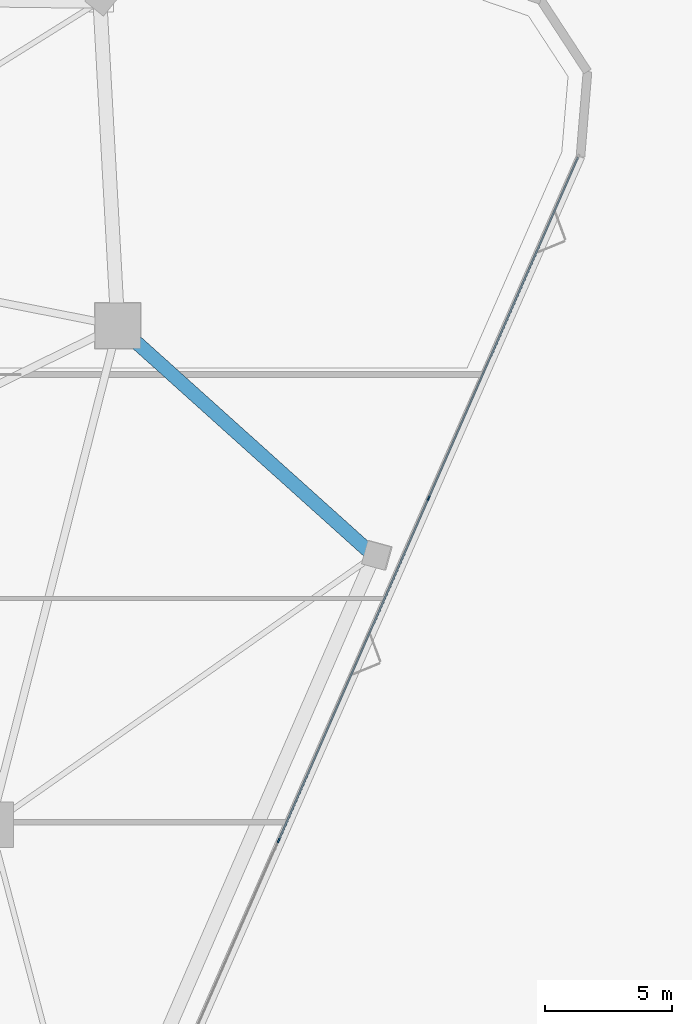
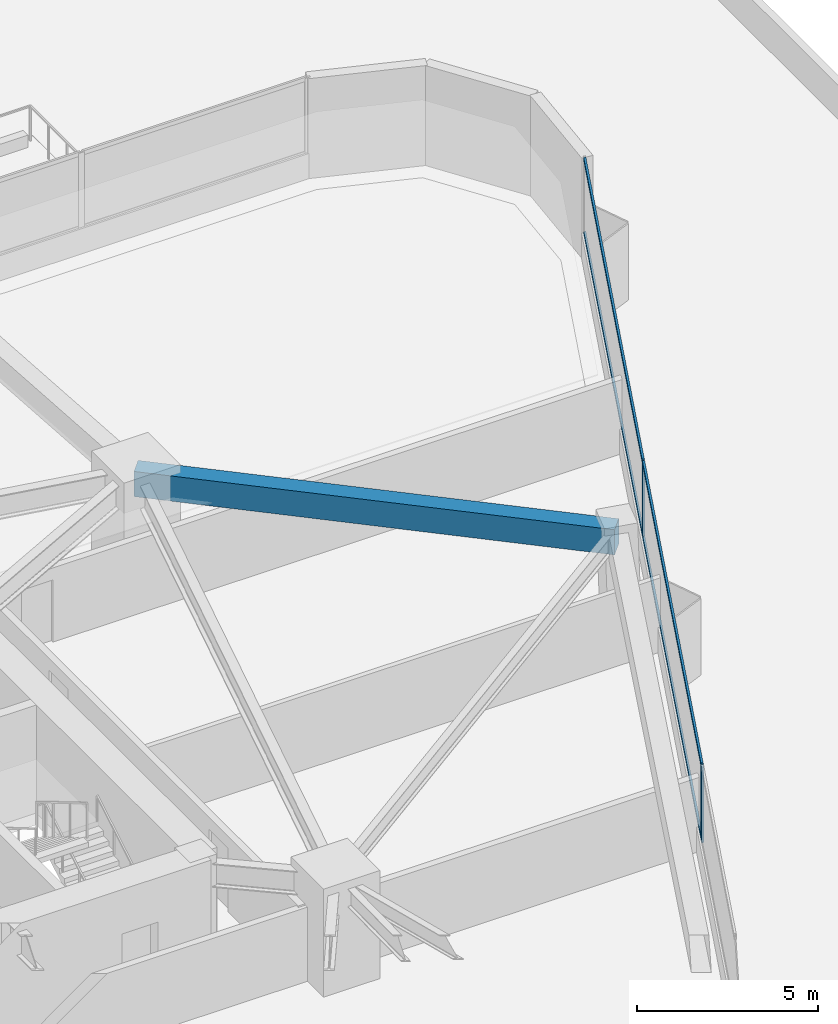
# One storey, part 8 of 21: 6 members, 1 beam, 1 element without a shape of its own.
"""IFC4 building model written with IfcOpenShell, lengths in metres."""

from ifc_helpers import new_model, si_unit, direction, frame, origin, origin_2d, place, context, subcontext, project, spatial, rectangle, extrude, material, layer, layer_set, material_profile, profile_set, type_object, element, aggregate, save


model = new_model("IFC4")

# Units and contexts
model_context = context("Model", 3, precision=1e-05, world=origin(), true_north=direction((0.0, 1.0)))
body_context = subcontext(model_context, "Body", "Model", "MODEL_VIEW")
ifc_project = project(units=[si_unit("LENGTHUNIT", "METRE"), si_unit("AREAUNIT", "SQUARE_METRE"), si_unit("VOLUMEUNIT", "CUBIC_METRE"), si_unit("PLANEANGLEUNIT", "RADIAN"), si_unit("MASSUNIT", "GRAM", prefix="KILO")], contexts=[model_context])

# Site, building, storey
site_placement = place(None, origin())
site = spatial("IfcSite", under=ifc_project, at=site_placement, CompositionType="ELEMENT")
building_placement = place(site_placement, origin())
building = spatial("IfcBuilding", under=site, at=building_placement, Name="Talyreon Biosciences Tower", CompositionType="ELEMENT")
storey_placement = place(building_placement, frame((0.0, 0.0, 22.800048828125)))
storey = spatial("IfcBuildingStorey", under=building, at=storey_placement, Name="L05", CompositionType="ELEMENT", Elevation=22.800048828125)

# Curtain wall, members
ifc_material_1 = material(Name="Thermally broken aluminium and low-E glazing", Category="aluminium")
ifc_layer = layer(ifc_material_1, 0.195068359375)
ifc_layer_set = layer_set([ifc_layer], Name="Thermally broken aluminium and low-E glazing")
curtain_wall_type = type_object("IfcCurtainWallType", Name="CurtainWall_Zone1WetLab", PredefinedType="NOTDEFINED", material=ifc_layer_set)
curtain_wall_placement = place(storey_placement, origin())
curtain_wall = element("IfcCurtainWall", 1, at=curtain_wall_placement, inside=storey, type_object=curtain_wall_type, Name="L05 Unitised Curtain Wall FCW-L05-08", PredefinedType="NOTDEFINED")
ifc_material_2 = material(Name="Anodised thermally broken aluminium", Category="aluminium")
ifc_material_profile_1 = material_profile(ifc_material_2, rectangle(XDim=0.06494140625, YDim=0.179931640625, at=origin_2d()), Name="ALUM MULLION 65x180")
ifc_profile_set_1 = profile_set([ifc_material_profile_1], Name="Anodised thermally broken aluminium")
member_type_1 = type_object("IfcMemberType", Name="CWMullion_65x180", PredefinedType="MULLION", material=ifc_profile_set_1)
member_1_placement = place(storey_placement, frame((94.378662109375, 71.783935546875, 0.81005859375), z_axis=(0.0, 0.0, 1.0), x_axis=(0.915926900592, -0.401345129249, 0.0)))
member_1 = element("IfcMember", 2, at=member_1_placement, type_object=member_type_1, Name="CW2 mullion 2", PredefinedType="MULLION", context=body_context, shape_type="SweptSolid", body=[
    extrude(rectangle(XDim=0.06494140625, YDim=0.179931640625, at=origin_2d()), origin(), (0.0, 0.0, 1.0), 2.56494140625),
])
member_2_placement = place(storey_placement, frame((88.45654296875, 58.268310546875, 0.81005859375), z_axis=(0.0, 0.0, 1.0), x_axis=(0.915926900592, -0.401345129249, 0.0)))
member_2 = element("IfcMember", 3, at=member_2_placement, type_object=member_type_1, Name="CW2 mullion 3", PredefinedType="MULLION", context=body_context, shape_type="SweptSolid", body=[
    extrude(rectangle(XDim=0.06494140625, YDim=0.179931640625, at=origin_2d()), origin(), (0.0, 0.0, 1.0), 2.56494140625),
])
ifc_material_profile_2 = material_profile(ifc_material_2, rectangle(XDim=0.06494140625, YDim=0.139892578125, at=origin_2d()), Name="ALUM TRANSOM 65x140")
ifc_profile_set_2 = profile_set([ifc_material_profile_2], Name="Anodised thermally broken aluminium")
member_type_2 = type_object("IfcMemberType", Name="CWTransom_65x140", PredefinedType="USERDEFINED", material=ifc_profile_set_2)
member_3_placement = place(storey_placement, frame((100.27490234375, 85.23974609375, 0.842529296875), z_axis=(-0.401337753299, -0.915930132585, 0.0), x_axis=(0.915930132585, -0.401337753299, 0.0)))
member_3 = element("IfcMember", 4, at=member_3_placement, type_object=member_type_2, Name="CW2 transom 1.1", ObjectType="TRANSOM", PredefinedType="USERDEFINED", context=body_context, shape_type="SweptSolid", body=[
    extrude(rectangle(XDim=0.06494140625, YDim=0.139892578125, at=origin_2d()), origin(), (0.0, 0.0, 1.0), 14.65869140625),
])
member_4_placement = place(storey_placement, frame((100.27490234375, 85.23974609375, 3.342529296875), z_axis=(-0.401337753299, -0.915930132585, 0.0), x_axis=(0.915930132585, -0.401337753299, 0.0)))
member_4 = element("IfcMember", 5, at=member_4_placement, type_object=member_type_2, Name="CW2 transom 1.2", ObjectType="TRANSOM", PredefinedType="USERDEFINED", context=body_context, shape_type="SweptSolid", body=[
    extrude(rectangle(XDim=0.06494140625, YDim=0.139892578125, at=origin_2d()), origin(), (0.0, 0.0, 1.0), 14.65869140625),
])
member_5_placement = place(storey_placement, frame((94.36572265625, 71.754150390625, 0.842529296875), z_axis=(-0.401345318485, -0.915926817672, 0.0), x_axis=(0.915926817672, -0.401345318485, 0.0)))
member_5 = element("IfcMember", 6, at=member_5_placement, type_object=member_type_2, Name="CW2 transom 2.1", ObjectType="TRANSOM", PredefinedType="USERDEFINED", context=body_context, shape_type="SweptSolid", body=[
    extrude(rectangle(XDim=0.06494140625, YDim=0.139892578125, at=origin_2d()), origin(), (0.0, 0.0, 1.0), 14.691162109375),
])
member_6_placement = place(storey_placement, frame((94.36572265625, 71.754150390625, 3.342529296875), z_axis=(-0.401345318485, -0.915926817672, 0.0), x_axis=(0.915926817672, -0.401345318485, 0.0)))
member_6 = element("IfcMember", 7, at=member_6_placement, type_object=member_type_2, Name="CW2 transom 2.2", ObjectType="TRANSOM", PredefinedType="USERDEFINED", context=body_context, shape_type="SweptSolid", body=[
    extrude(rectangle(XDim=0.06494140625, YDim=0.139892578125, at=origin_2d()), origin(), (0.0, 0.0, 1.0), 14.691162109375),
])
aggregate(curtain_wall, [member_1, member_2, member_3, member_4, member_5, member_6])

# Beam
ifc_material_3 = material(Name="Precast concrete C45/55", Category="concrete")
ifc_material_profile_3 = material_profile(ifc_material_3, rectangle(XDim=0.550048828125, YDim=0.85009765625, at=origin_2d()), Name="RCB 550x850")
ifc_profile_set_3 = profile_set([ifc_material_profile_3], Name="Precast concrete C45/55")
beam_type = type_object("IfcBeamType", Name="ExpressedSpandrel_550x850", PredefinedType="SPANDREL", material=ifc_profile_set_3)
beam_placement = place(storey_placement, frame((92.214111328125, 69.510009765625, 2.949951171875), z_axis=(-0.743733281862, 0.668476480851, 0.0), x_axis=(-0.668476480851, -0.743733281862, 0.0)))
element("IfcBeam", 8, at=beam_placement, inside=storey, type_object=beam_type, Name="L05 Expressed Horizontal Concrete Spandrel 04", PredefinedType="SPANDREL", context=body_context, shape_type="SweptSolid", body=[
    extrude(rectangle(XDim=0.550048828125, YDim=0.85009765625, at=origin_2d()), origin(), (0.0, 0.0, 1.0), 13.595947265625),
])

save(model, "model.ifc")
